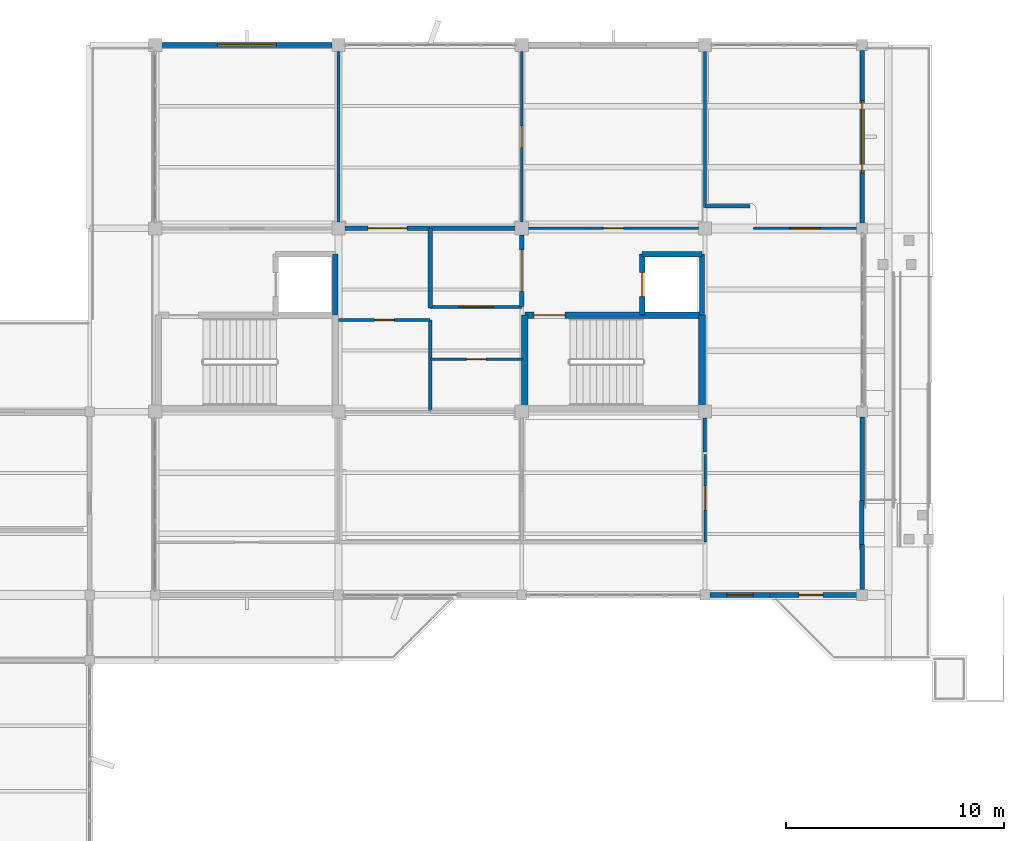
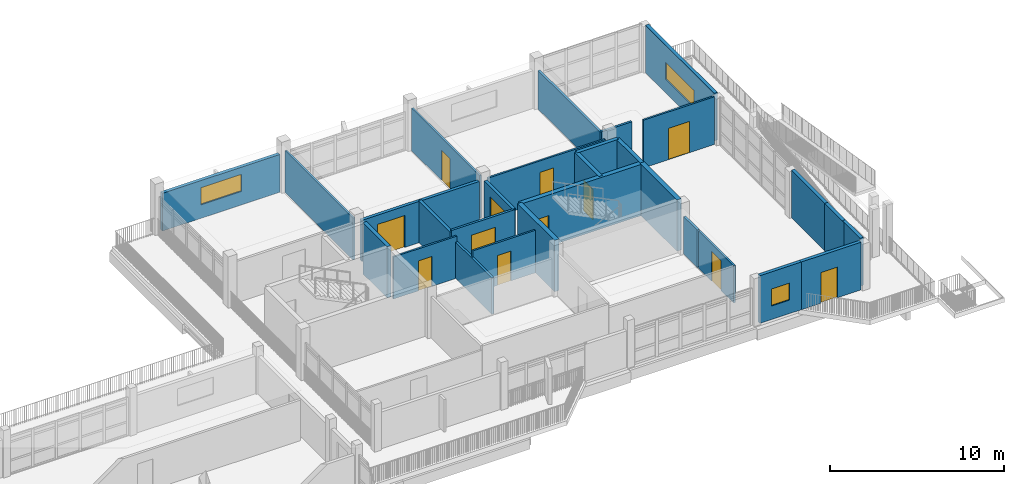
# One storey, part 22 of 33: 30 walls, 12 doors, 3 windows, 15 openings.
"""IFC4 building model written with IfcOpenShell, lengths in metres."""

import ifcopenshell
import ifcopenshell.guid

model = None  # the IFC model being written
_history = None  # IfcOwnerHistory: only IFC2X3 demands one
_inside = {}  # id of a spatial element -> (the spatial element, [elements in it])
_under = {}  # id of a project, library or spatial element -> (it, [spatial elements below it])
_declared = {}  # id of a project -> (the project, [libraries it declares])
_typed = {}  # id of a type object -> (the type object, [elements of that type])
_made_of = {}  # id of a material, layer set ... -> (it, [elements and type objects made of it])


def new_model(schema):
    """Start an empty IFC model of exactly this schema.

    Asked for "IFC4X3", IfcOpenShell would pick the latest addendum, in which some entities
    have other attributes; the version numbers below select the first issue.
    IFC2X3 requires an IfcOwnerHistory on every rooted entity: one is made here for all.
    """
    global model, _history
    if schema == "IFC4X3":
        model = ifcopenshell.file(schema_version=(4, 3, 0, 0))
    else:
        model = ifcopenshell.file(schema=schema)
    _inside.clear()
    _under.clear()
    _declared.clear()
    _typed.clear()
    _made_of.clear()
    _history = None
    if model.schema == "IFC2X3":
        org = make("IfcOrganization", Name="unknown")
        user = make(
            "IfcPersonAndOrganization",
            ThePerson=make("IfcPerson", FamilyName="unknown"),
            TheOrganization=org,
        )
        app = make(
            "IfcApplication",
            ApplicationDeveloper=org,
            Version="unknown",
            ApplicationFullName="unknown",
            ApplicationIdentifier="unknown",
        )
        _history = make(
            "IfcOwnerHistory",
            OwningUser=user,
            OwningApplication=app,
            ChangeAction="ADDED",
            CreationDate=0,
        )
    return model


def make(cls, **values):
    """One entity of the class cls with the attributes given. An attribute that is None is left unset."""
    return model.create_entity(
        cls, **{name: value for name, value in values.items() if value is not None}
    )


def rooted(cls, **values):
    """An entity with a GlobalId (a new one), such as an element, a storey or a relation."""
    return make(cls, GlobalId=ifcopenshell.guid.new(), OwnerHistory=_history, **values)


def si_unit(unit_type, name, prefix=None):
    """IfcSIUnit, for example si_unit("LENGTHUNIT", "METRE", prefix="MILLI")."""
    return make("IfcSIUnit", UnitType=unit_type, Prefix=prefix, Name=name)


def assignment(units):
    """IfcUnitAssignment: the units of a project."""
    return None if units is None else make("IfcUnitAssignment", Units=units)


def point(xyz):
    """IfcCartesianPoint."""
    return None if xyz is None else make("IfcCartesianPoint", Coordinates=xyz)


def direction(xyz):
    """IfcDirection."""
    return None if xyz is None else make("IfcDirection", DirectionRatios=xyz)


def frame(location, z_axis=None, x_axis=None):
    """IfcAxis2Placement3D, a coordinate frame: its origin and axes. An axis left out is left unset."""
    return make(
        "IfcAxis2Placement3D",
        Location=point(location),
        Axis=direction(z_axis),
        RefDirection=direction(x_axis),
    )


def frame_2d(location, x_axis=None):
    """IfcAxis2Placement2D, a coordinate frame in the plane: its origin and x axis."""
    return make(
        "IfcAxis2Placement2D", Location=point(location), RefDirection=direction(x_axis)
    )


def origin():
    """The frame at (0, 0, 0) with its axes left unset."""
    return frame((0.0, 0.0, 0.0))


def place(relative_to, where):
    """IfcLocalPlacement: puts the frame where relative to a parent placement (None: the world)."""
    return make(
        "IfcLocalPlacement", PlacementRelTo=relative_to, RelativePlacement=where
    )


def context(
    kind, dimensions, precision=None, world=None, true_north=None, identifier=None
):
    """IfcGeometricRepresentationContext, for example the 3D "Model" context."""
    return make(
        "IfcGeometricRepresentationContext",
        ContextIdentifier=identifier,
        ContextType=kind,
        CoordinateSpaceDimension=dimensions,
        Precision=precision,
        WorldCoordinateSystem=world,
        TrueNorth=true_north,
    )


def subcontext(parent, identifier, kind, view, scale=None):
    """IfcGeometricRepresentationSubContext, for example "Body" below "Model"."""
    return make(
        "IfcGeometricRepresentationSubContext",
        ContextIdentifier=identifier,
        ContextType=kind,
        ParentContext=parent,
        TargetScale=scale,
        TargetView=view,
    )


def project(units=None, contexts=None):
    """IfcProject with its units and contexts."""
    return rooted(
        "IfcProject",
        Name="project",
        RepresentationContexts=contexts,
        UnitsInContext=assignment(units),
    )


def spatial(cls, under=None, at=None, **own):
    """A site, building, storey or space (cls), placed at a placement, below another one or the project."""
    s = rooted(cls, ObjectPlacement=at, **own)
    if under is not None:
        _under.setdefault(under.id(), (under, []))[1].append(s)
    return s


def profile(cls, at=None, kind="AREA", **sizes):
    """A parametric profile (cls). Its sizes go by their IFC names, for example OverallWidth=200.0."""
    return make(cls, ProfileType=kind, Position=at, **sizes)


def rectangle(**sizes):
    """IfcRectangleProfileDef."""
    return profile("IfcRectangleProfileDef", **sizes)


def extrude(swept, where, along, depth):
    """IfcExtrudedAreaSolid: the profile swept, set in the frame where, extruded along a direction by depth."""
    return make(
        "IfcExtrudedAreaSolid",
        SweptArea=swept,
        Position=where,
        ExtrudedDirection=direction(along),
        Depth=depth,
    )


def shape(context_of_items, identifier, shape_type, items):
    """IfcShapeRepresentation: the items that make up one representation, for example the "Body"."""
    return make(
        "IfcShapeRepresentation",
        ContextOfItems=context_of_items,
        RepresentationIdentifier=identifier,
        RepresentationType=shape_type,
        Items=items,
    )


def material(Name=None, Category=None):
    """IfcMaterial."""
    return make("IfcMaterial", Name=Name, Category=Category)


def layer(
    of_material, thickness, ventilated=None, Name=None, Category=None, Priority=None
):
    """IfcMaterialLayer: one layer of a wall or slab, of a material (None: an air gap)."""
    return make(
        "IfcMaterialLayer",
        Material=of_material,
        LayerThickness=thickness,
        IsVentilated=ventilated,
        Name=Name,
        Category=Category,
        Priority=Priority,
    )


def layer_set(layers, Name=None):
    """IfcMaterialLayerSet."""
    return make("IfcMaterialLayerSet", MaterialLayers=layers, LayerSetName=Name)


def made_of(thing, what):
    """Note that an element or type object is made of a material, layer set ...; save() writes the relation."""
    if what is not None:
        _made_of.setdefault(what.id(), (what, []))[1].append(thing)
    return thing


def type_object(cls, material=None, **own):
    """A type object (cls), such as IfcWallType, which elements share."""
    return made_of(rooted(cls, **own), material)


def element(
    cls,
    number,
    at=None,
    inside=None,
    cuts=None,
    type_object=None,
    material=None,
    context=None,
    identifier="Body",
    shape_type=None,
    held_by="IfcProductDefinitionShape",
    body=None,
    shapes=None,
    **own,
):
    """One element of the class cls, such as IfcWall. Its Tag is "e" and its number.

    at: its placement. inside: the storey or other place that contains it. cuts: it is an
    opening in that element (IfcRelVoidsElement). A single representation is given by context,
    identifier, shape_type and body (its items); several are given by shapes. held_by: the class
    of the entity that holds the representations. save() writes the other relations.
    """
    e = rooted(cls, Tag="e%d" % number, ObjectPlacement=at, **own)
    if body is not None:
        shapes = [shape(context, identifier, shape_type, body)]
    if shapes is not None:
        e.Representation = make(held_by, Representations=shapes)
    if inside is not None:
        _inside.setdefault(inside.id(), (inside, []))[1].append(e)
    if cuts is not None:
        rooted(
            "IfcRelVoidsElement", RelatingBuildingElement=cuts, RelatedOpeningElement=e
        )
    if type_object is not None:
        _typed.setdefault(type_object.id(), (type_object, []))[1].append(e)
    return made_of(e, material)


def fill(opening, filler):
    """IfcRelFillsElement: the door or window that sits in an opening."""
    return rooted(
        "IfcRelFillsElement",
        RelatingOpeningElement=opening,
        RelatedBuildingElement=filler,
    )


def aggregate(whole, parts):
    """IfcRelAggregates: a whole, such as a stair, and the parts it consists of."""
    return rooted("IfcRelAggregates", RelatingObject=whole, RelatedObjects=parts)


def save(model, path):
    """Write the relations noted so far, then the file.

    IfcRelAggregates (storeys below a building ...), IfcRelContainedInSpatialStructure (elements
    in a storey), IfcRelDefinesByType, IfcRelAssociatesMaterial and IfcRelDeclares: one each for
    every whole, place, type object, material and project.
    """
    for whole, parts in _under.values():
        aggregate(whole, parts)
    for where, things in _inside.values():
        rooted(
            "IfcRelContainedInSpatialStructure",
            RelatedElements=things,
            RelatingStructure=where,
        )
    for kind, things in _typed.values():
        rooted("IfcRelDefinesByType", RelatedObjects=things, RelatingType=kind)
    for what, things in _made_of.values():
        rooted("IfcRelAssociatesMaterial", RelatedObjects=things, RelatingMaterial=what)
    for by, libraries in _declared.values():
        rooted("IfcRelDeclares", RelatingContext=by, RelatedDefinitions=libraries)
    model.write(path)


model = new_model("IFC4")

# Units and contexts
model_context = context("Model", 3, precision=1e-05, world=origin(), true_north=direction((0.0, 1.0)))
body_context = subcontext(model_context, "Body", "Model", "MODEL_VIEW")
ifc_project = project(units=[si_unit("LENGTHUNIT", "METRE"), si_unit("AREAUNIT", "SQUARE_METRE"), si_unit("VOLUMEUNIT", "CUBIC_METRE"), si_unit("PLANEANGLEUNIT", "RADIAN"), si_unit("MASSUNIT", "GRAM", prefix="KILO")], contexts=[model_context])

# Site, building, storey
site_placement = place(None, origin())
site = spatial("IfcSite", under=ifc_project, at=site_placement, CompositionType="ELEMENT")
building_placement = place(site_placement, origin())
building = spatial("IfcBuilding", under=site, at=building_placement, Name="Vanh Quang Courtyard School", CompositionType="ELEMENT")
storey_placement = place(building_placement, frame((0.0, 0.0, 18.60009765625)))
storey = spatial("IfcBuildingStorey", under=building, at=storey_placement, Name="L05", CompositionType="ELEMENT", Elevation=18.60009765625)

# Wall, opening, door
ifc_material_1 = material(Name="Concrete C30/37", Category="concrete")
ifc_layer_1 = layer(ifc_material_1, 0.199951171875)
ifc_layer_set_1 = layer_set([ifc_layer_1], Name="Concrete C30/37")
wall_type_1 = type_object("IfcWallType", Name="W-COMP-200", PredefinedType="PARTITIONING", material=ifc_layer_set_1)
wall_1_placement = place(storey_placement, frame((86.097900390625, 88.199951171875, 0.0), z_axis=(0.0, 0.0, 1.0), x_axis=(1.0, 0.0, 0.0)))
wall_1 = element("IfcWall", 1, at=wall_1_placement, inside=storey, type_object=wall_type_1, Name="Wall W-COMP1 (L05)", PredefinedType="PARTITIONING", context=body_context, shape_type="SweptSolid", body=[
    extrude(rectangle(XDim=3.902099609375, YDim=0.199951171875, at=frame_2d((1.951171875, 0.0))), origin(), (0.0, 0.0, 1.0), 2.89990234375),
])
opening_1_placement = place(wall_1_placement, frame((1.051025390625, 0.0, 0.0)))
opening_1 = element("IfcOpeningElement", 2, at=opening_1_placement, cuts=wall_1, Name="Opening L05-D177", PredefinedType="OPENING", context=body_context, shape_type="SweptSolid", body=[
    extrude(rectangle(XDim=1.800048828125, YDim=2.25, at=frame_2d((0.89990234375, 1.125))), frame((0.0, 0.10986328125, 0.0), z_axis=(0.0, -1.0, 0.0), x_axis=(1.0, 0.0, 0.0)), (0.0, 0.0, 1.0), 0.219970703125),
])
ifc_material_2 = material(Name="Painted galvanised steel fire door", Category="steel")
door_type_1 = type_object("IfcDoorType", Name="IDR-FD-1800x2250", OperationType="NOTDEFINED", PredefinedType="DOOR", material=ifc_material_2)
door_1_placement = place(opening_1_placement, origin())
door_1 = element("IfcDoor", 3, at=door_1_placement, inside=storey, type_object=door_type_1, Name="Door L05-D177 (L05)", OperationType="DOUBLE_DOOR_SINGLE_SWING", OverallHeight=2.25, OverallWidth=1.800048828125, PredefinedType="DOOR", context=body_context, shape_type="SweptSolid", body=[
    extrude(rectangle(XDim=1.800048828125, YDim=2.25, at=frame_2d((0.89990234375, 1.125))), frame((0.0, 0.02490234375, 0.0), z_axis=(0.0, -1.0, 0.0), x_axis=(1.0, 0.0, 0.0)), (0.0, 0.0, 1.0), 0.050048828125),
])
fill(opening_1, door_1)

# Walls
wall_2_placement = place(storey_placement, frame((90.0, 88.199951171875, 0.0), z_axis=(0.0, 0.0, 1.0), x_axis=(0.0, -1.0, 0.0)))
element("IfcWall", 4, at=wall_2_placement, inside=storey, type_object=wall_type_1, Name="Wall W-COMP1 (L05)", PredefinedType="PARTITIONING", context=body_context, shape_type="SweptSolid", body=[
    extrude(rectangle(XDim=3.646240234375, YDim=0.199951171875, at=frame_2d((1.8232421875, 0.0))), origin(), (0.0, 0.0, 1.0), 2.89990234375),
])
wall_3_placement = place(storey_placement, frame((90.02001953125, 88.199951171875, 0.0), z_axis=(0.0, 0.0, 1.0), x_axis=(1.0, 0.0, 0.0)))
element("IfcWall", 5, at=wall_3_placement, inside=storey, type_object=wall_type_1, Name="Wall W-COMP1 (L05)", PredefinedType="PARTITIONING", context=body_context, shape_type="SweptSolid", body=[
    extrude(rectangle(XDim=3.882080078125, YDim=0.199951171875, at=frame_2d((1.94091796875, 0.0))), origin(), (0.0, 0.0, 1.0), 2.89990234375),
])

# Wall, opening, door
wall_4_placement = place(storey_placement, frame((94.199951171875, 87.902099609375, 0.0), z_axis=(0.0, 0.0, 1.0), x_axis=(0.0, -1.0, 0.0)))
wall_4 = element("IfcWall", 6, at=wall_4_placement, inside=storey, type_object=wall_type_1, Name="Wall W-COMP1 (L05)", PredefinedType="PARTITIONING", context=body_context, shape_type="SweptSolid", body=[
    extrude(rectangle(XDim=3.281982421875, YDim=0.199951171875, at=frame_2d((1.64111328125, 0.0))), origin(), (0.0, 0.0, 1.0), 2.989990234375),
])
opening_2_placement = place(wall_4_placement, frame((0.69091796875, 0.0, 0.0)))
opening_2 = element("IfcOpeningElement", 7, at=opening_2_placement, cuts=wall_4, Name="Opening L05-D178", PredefinedType="OPENING", context=body_context, shape_type="SweptSolid", body=[
    extrude(rectangle(XDim=1.89990234375, YDim=2.300048828125, at=frame_2d((0.949951171875, 1.14990234375))), frame((0.0, 0.10986328125, 0.0), z_axis=(0.0, -1.0, 0.0), x_axis=(1.0, 0.0, 0.0)), (0.0, 0.0, 1.0), 0.219970703125),
])
door_type_2 = type_object("IfcDoorType", Name="IDR-HAL-1900x2300", OperationType="NOTDEFINED", PredefinedType="DOOR", material=ifc_material_2)
door_2_placement = place(opening_2_placement, origin())
door_2 = element("IfcDoor", 8, at=door_2_placement, inside=storey, type_object=door_type_2, Name="Door L05-D178 (L05)", OperationType="DOUBLE_DOOR_SINGLE_SWING", OverallHeight=2.300048828125, OverallWidth=1.89990234375, PredefinedType="DOOR", context=body_context, shape_type="SweptSolid", body=[
    extrude(rectangle(XDim=1.89990234375, YDim=2.300048828125, at=frame_2d((0.949951171875, 1.14990234375))), frame((0.0, 0.02490234375, 0.0), z_axis=(0.0, -1.0, 0.0), x_axis=(1.0, 0.0, 0.0)), (0.0, 0.0, 1.0), 0.050048828125),
])
fill(opening_2, door_2)

# Wall
ifc_material_3 = material(Name="Concrete C35/45", Category="concrete")
ifc_layer_2 = layer(ifc_material_3, 0.300048828125)
ifc_layer_set_2 = layer_set([ifc_layer_2], Name="Concrete C35/45")
wall_type_2 = type_object("IfcWallType", Name="W-CORE-300", PredefinedType="SHEAR", material=ifc_layer_set_2)
wall_5_placement = place(storey_placement, frame((102.4599609375, 79.93994140625, 0.0), z_axis=(0.0, 0.0, 1.0), x_axis=(0.0, 1.0, 0.0)))
element("IfcWall", 9, at=wall_5_placement, inside=storey, type_object=wall_type_2, Name="Wall W-CORE1 (L05)", PredefinedType="SHEAR", context=body_context, shape_type="SweptSolid", body=[
    extrude(rectangle(XDim=4.280029296875, YDim=0.300048828125, at=frame_2d((2.14013671875, 0.0))), origin(), (0.0, 0.0, 1.0), 3.599853515625),
])

# Wall, opening, door
wall_6_placement = place(storey_placement, frame((102.4599609375, 84.219970703125, 0.0), z_axis=(0.0, 0.0, 1.0), x_axis=(-1.0, 0.0, 0.0)))
wall_6 = element("IfcWall", 10, at=wall_6_placement, inside=storey, type_object=wall_type_2, Name="Wall W-CORE1 (L05)", PredefinedType="SHEAR", context=body_context, shape_type="SweptSolid", body=[
    extrude(rectangle(XDim=8.119873046875, YDim=0.300048828125, at=frame_2d((4.06005859375, 0.0))), origin(), (0.0, 0.0, 1.0), 3.599853515625),
])
opening_3_placement = place(wall_6_placement, frame((6.27001953125, 0.0, 0.0)))
opening_3 = element("IfcOpeningElement", 11, at=opening_3_placement, cuts=wall_6, Name="Opening L05-DS2", PredefinedType="OPENING", context=body_context, shape_type="SweptSolid", body=[
    extrude(rectangle(XDim=1.419921875, YDim=2.14990234375, at=frame_2d((0.7099609375, 1.074951171875))), frame((0.0, 0.16015625, 0.0), z_axis=(0.0, -1.0, 0.0), x_axis=(1.0, 0.0, 0.0)), (0.0, 0.0, 1.0), 0.320068359375),
])
door_type_3 = type_object("IfcDoorType", Name="IDR-ST-1420x2150", OperationType="NOTDEFINED", PredefinedType="DOOR", material=ifc_material_2)
door_3_placement = place(opening_3_placement, frame((1.419921875, 0.0, 0.0), z_axis=(0.0, 0.0, 1.0), x_axis=(-1.0, 0.0, 0.0)))
door_3 = element("IfcDoor", 12, at=door_3_placement, inside=storey, type_object=door_type_3, Name="Door L05-DS2 (L05)", OperationType="SINGLE_SWING_RIGHT", OverallHeight=2.14990234375, OverallWidth=1.419921875, PredefinedType="DOOR", context=body_context, shape_type="SweptSolid", body=[
    extrude(rectangle(XDim=1.419921875, YDim=2.14990234375, at=frame_2d((0.7099609375, 1.074951171875))), frame((0.0, 0.02490234375, 0.0), z_axis=(0.0, -1.0, 0.0), x_axis=(1.0, 0.0, 0.0)), (0.0, 0.0, 1.0), 0.050048828125),
])
fill(opening_3, door_3)

# Walls
wall_7_placement = place(storey_placement, frame((94.340087890625, 84.219970703125, 0.0), z_axis=(0.0, 0.0, 1.0), x_axis=(0.0, -1.0, 0.0)))
element("IfcWall", 13, at=wall_7_placement, inside=storey, type_object=wall_type_2, Name="Wall W-CORE1 (L05)", PredefinedType="SHEAR", context=body_context, shape_type="SweptSolid", body=[
    extrude(rectangle(XDim=4.280029296875, YDim=0.300048828125, at=frame_2d((2.14013671875, 0.0))), origin(), (0.0, 0.0, 1.0), 3.599853515625),
])
ifc_layer_3 = layer(ifc_material_1, 0.219970703125)
ifc_layer_set_3 = layer_set([ifc_layer_3], Name="Concrete C30/37")
wall_type_3 = type_object("IfcWallType", Name="W-EXT-220", PredefinedType="SOLIDWALL", material=ifc_layer_set_3)
wall_8_placement = place(storey_placement, frame((109.784912109375, 75.719970703125, 0.0), z_axis=(0.0, 0.0, 1.0), x_axis=(0.0, -1.0, 0.0)))
element("IfcWall", 14, at=wall_8_placement, inside=storey, type_object=wall_type_3, Name="Wall WE-04 (L05)", PredefinedType="SOLIDWALL", context=body_context, shape_type="SweptSolid", body=[
    extrude(rectangle(XDim=2.239990234375, YDim=0.219970703125, at=frame_2d((1.1201171875, 0.0))), origin(), (0.0, 0.0, 1.0), 3.349853515625),
])
wall_9_placement = place(storey_placement, frame((109.800048828125, 73.705078125, 0.0), z_axis=(0.0, 0.0, 1.0), x_axis=(0.0, -1.0, 0.0)))
element("IfcWall", 15, at=wall_9_placement, inside=storey, type_object=wall_type_3, Name="Wall WE-04 (L05)", PredefinedType="SOLIDWALL", context=body_context, shape_type="SweptSolid", body=[
    extrude(rectangle(XDim=2.05712890625, YDim=0.219970703125, at=frame_2d((1.028564453125, 0.0))), origin(), (0.0, 0.0, 1.0), 3.349853515625),
])

# Wall, opening, door
wall_10_placement = place(storey_placement, frame((109.552001953125, 71.39990234375, 0.0), z_axis=(0.0, 0.0, 1.0), x_axis=(-1.0, 0.0, 0.0)))
wall_10 = element("IfcWall", 16, at=wall_10_placement, inside=storey, type_object=wall_type_3, Name="Wall WE-04 (L05)", PredefinedType="SOLIDWALL", context=body_context, shape_type="SweptSolid", body=[
    extrude(rectangle(XDim=4.216064453125, YDim=0.219970703125, at=frame_2d((2.10791015625, 0.0))), origin(), (0.0, 0.0, 1.0), 3.349853515625),
])
opening_4_placement = place(wall_10_placement, frame((1.55810546875, 0.0, 0.0)))
opening_4 = element("IfcOpeningElement", 17, at=opening_4_placement, cuts=wall_10, Name="Opening L05-PD061", PredefinedType="OPENING", context=body_context, shape_type="SweptSolid", body=[
    extrude(rectangle(XDim=1.10009765625, YDim=2.14990234375, at=frame_2d((0.550048828125, 1.074951171875))), frame((0.0, 0.1201171875, 0.0), z_axis=(0.0, -1.0, 0.0), x_axis=(1.0, 0.0, 0.0)), (0.0, 0.0, 1.0), 0.239990234375),
])
ifc_material_4 = material(Name="Thermally broken aluminium and laminated safety glass", Category="aluminium")
door_type_4 = type_object("IfcDoorType", Name="EDR-TYP-02", OperationType="NOTDEFINED", PredefinedType="DOOR", material=ifc_material_4)
door_4_placement = place(opening_4_placement, origin())
door_4 = element("IfcDoor", 18, at=door_4_placement, inside=storey, type_object=door_type_4, Name="Door L05-PD061 (L05)", OperationType="SINGLE_SWING_RIGHT", OverallHeight=2.14990234375, OverallWidth=1.10009765625, PredefinedType="DOOR", context=body_context, shape_type="SweptSolid", body=[
    extrude(rectangle(XDim=1.10009765625, YDim=2.14990234375, at=frame_2d((0.550048828125, 1.074951171875))), frame((0.0, 0.02490234375, 0.0), z_axis=(0.0, -1.0, 0.0), x_axis=(1.0, 0.0, 0.0)), (0.0, 0.0, 1.0), 0.050048828125),
])
fill(opening_4, door_4)

# Wall, opening, window
wall_11_placement = place(storey_placement, frame((105.575927734375, 71.39990234375, 0.0), z_axis=(0.0, 0.0, 1.0), x_axis=(-1.0, 0.0, 0.0)))
wall_11 = element("IfcWall", 19, at=wall_11_placement, inside=storey, type_object=wall_type_3, Name="Wall WE-04 (L05)", PredefinedType="SOLIDWALL", context=body_context, shape_type="SweptSolid", body=[
    extrude(rectangle(XDim=2.7529296875, YDim=0.219970703125, at=frame_2d((1.37646484375, 0.0))), origin(), (0.0, 0.0, 1.0), 3.349853515625),
])
opening_5_placement = place(wall_11_placement, frame((0.776611328125, 0.0, 0.949951171875)))
opening_5 = element("IfcOpeningElement", 20, at=opening_5_placement, cuts=wall_11, Name="Opening WN-01", PredefinedType="OPENING", context=body_context, shape_type="SweptSolid", body=[
    extrude(rectangle(XDim=1.199951171875, YDim=1.199951171875, at=frame_2d((0.60009765625, 0.60009765625))), frame((0.0, 0.1201171875, 0.0), z_axis=(0.0, -1.0, 0.0), x_axis=(1.0, 0.0, 0.0)), (0.0, 0.0, 1.0), 0.239990234375),
])
ifc_material_5 = material(Name="Anodised aluminium and low-E double glazing", Category="aluminium")
window_type_1 = type_object("IfcWindowType", Name="WIN-TYP-01", PartitioningType="SINGLE_PANEL", PredefinedType="WINDOW", material=ifc_material_5)
window_1_placement = place(opening_5_placement, origin())
window_1 = element("IfcWindow", 21, at=window_1_placement, inside=storey, type_object=window_type_1, Name="Window WN-01 (L05)", OverallHeight=1.199951171875, OverallWidth=1.199951171875, PartitioningType="SINGLE_PANEL", PredefinedType="WINDOW", context=body_context, shape_type="SweptSolid", body=[
    extrude(rectangle(XDim=1.199951171875, YDim=1.199951171875, at=frame_2d((0.60009765625, 0.60009765625))), frame((0.0, 0.030029296875, 0.0), z_axis=(0.0, -1.0, 0.0), x_axis=(1.0, 0.0, 0.0)), (0.0, 0.0, 1.0), 0.06005859375),
])
fill(opening_5, window_1)

wall_12_placement = place(storey_placement, frame((77.697998046875, 96.60009765625, 0.0), z_axis=(0.0, 0.0, 1.0), x_axis=(1.0, 0.0, 0.0)))
wall_12 = element("IfcWall", 22, at=wall_12_placement, inside=storey, type_object=wall_type_3, Name="Wall WE-04 (L05)", PredefinedType="SOLIDWALL", context=body_context, shape_type="SweptSolid", body=[
    extrude(rectangle(XDim=7.803955078125, YDim=0.219970703125, at=frame_2d((3.90185546875, 0.0))), origin(), (0.0, 0.0, 1.0), 2.64990234375),
])
opening_6_placement = place(wall_12_placement, frame((2.552001953125, 0.0, 0.949951171875)))
opening_6 = element("IfcOpeningElement", 23, at=opening_6_placement, cuts=wall_12, Name="Opening WN-06", PredefinedType="OPENING", context=body_context, shape_type="SweptSolid", body=[
    extrude(rectangle(XDim=2.699951171875, YDim=1.199951171875, at=frame_2d((1.35009765625, 0.60009765625))), frame((0.0, 0.1201171875, 0.0), z_axis=(0.0, -1.0, 0.0), x_axis=(1.0, 0.0, 0.0)), (0.0, 0.0, 1.0), 0.239990234375),
])
window_type_2 = type_object("IfcWindowType", Name="WIN-TYP-06", PartitioningType="SINGLE_PANEL", PredefinedType="WINDOW", material=ifc_material_5)
window_2_placement = place(opening_6_placement, origin())
window_2 = element("IfcWindow", 24, at=window_2_placement, inside=storey, type_object=window_type_2, Name="Window WN-06 (L05)", OverallHeight=1.199951171875, OverallWidth=2.699951171875, PartitioningType="SINGLE_PANEL", PredefinedType="WINDOW", context=body_context, shape_type="SweptSolid", body=[
    extrude(rectangle(XDim=2.699951171875, YDim=1.199951171875, at=frame_2d((1.35009765625, 0.60009765625))), frame((0.0, 0.030029296875, 0.0), z_axis=(0.0, -1.0, 0.0), x_axis=(1.0, 0.0, 0.0)), (0.0, 0.0, 1.0), 0.06005859375),
])
fill(opening_6, window_2)

wall_13_placement = place(storey_placement, frame((109.800048828125, 96.35205078125, 0.0), z_axis=(0.0, 0.0, 1.0), x_axis=(0.0, -1.0, 0.0)))
wall_13 = element("IfcWall", 25, at=wall_13_placement, inside=storey, type_object=wall_type_3, Name="Wall WE-04 (L05)", PredefinedType="SOLIDWALL", context=body_context, shape_type="SweptSolid", body=[
    extrude(rectangle(XDim=7.904052734375, YDim=0.219970703125, at=frame_2d((3.9521484375, 0.0))), origin(), (0.0, 0.0, 1.0), 3.349853515625),
])
opening_7_placement = place(wall_13_placement, frame((2.302001953125, 0.0, 0.949951171875)))
opening_7 = element("IfcOpeningElement", 26, at=opening_7_placement, cuts=wall_13, Name="Opening WN-08", PredefinedType="OPENING", context=body_context, shape_type="SweptSolid", body=[
    extrude(rectangle(XDim=3.300048828125, YDim=1.199951171875, at=frame_2d((1.64990234375, 0.60009765625))), frame((0.0, 0.1201171875, 0.0), z_axis=(0.0, -1.0, 0.0), x_axis=(1.0, 0.0, 0.0)), (0.0, 0.0, 1.0), 0.239990234375),
])
window_type_3 = type_object("IfcWindowType", Name="WIN-TYP-08", PartitioningType="SINGLE_PANEL", PredefinedType="WINDOW", material=ifc_material_5)
window_3_placement = place(opening_7_placement, origin())
window_3 = element("IfcWindow", 27, at=window_3_placement, inside=storey, type_object=window_type_3, Name="Window WN-08 (L05)", OverallHeight=1.199951171875, OverallWidth=3.300048828125, PartitioningType="SINGLE_PANEL", PredefinedType="WINDOW", context=body_context, shape_type="SweptSolid", body=[
    extrude(rectangle(XDim=3.300048828125, YDim=1.199951171875, at=frame_2d((1.64990234375, 0.60009765625))), frame((0.0, 0.030029296875, 0.0), z_axis=(0.0, -1.0, 0.0), x_axis=(1.0, 0.0, 0.0)), (0.0, 0.0, 1.0), 0.06005859375),
])
fill(opening_7, window_3)

# Wall
wall_14_placement = place(storey_placement, frame((109.800048828125, 79.552001953125, 0.0), z_axis=(0.0, 0.0, 1.0), x_axis=(0.0, -1.0, 0.0)))
element("IfcWall", 28, at=wall_14_placement, inside=storey, type_object=wall_type_3, Name="Wall WE-04 (L05)", PredefinedType="SOLIDWALL", context=body_context, shape_type="SweptSolid", body=[
    extrude(rectangle(XDim=4.056884765625, YDim=0.219970703125, at=frame_2d((2.0283203125, 0.0))), origin(), (0.0, 0.0, 1.0), 3.349853515625),
])

# Wall, opening, door
ifc_material_6 = material(Name="Acoustic gypsum stud partition", Category="gypsum")
ifc_layer_4 = layer(ifc_material_6, 0.1201171875)
ifc_layer_set_4 = layer_set([ifc_layer_4], Name="Acoustic gypsum stud partition")
wall_type_4 = type_object("IfcWallType", Name="W-PART-120", PredefinedType="PARTITIONING", material=ifc_layer_set_4)
wall_15_placement = place(storey_placement, frame((85.800048828125, 84.0, 0.0), z_axis=(0.0, 0.0, 1.0), x_axis=(1.0, 0.0, 0.0)))
wall_15 = element("IfcWall", 29, at=wall_15_placement, inside=storey, type_object=wall_type_4, Name="Wall W-PRT2 (L05)", PredefinedType="PARTITIONING", context=body_context, shape_type="SweptSolid", body=[
    extrude(rectangle(XDim=4.199951171875, YDim=0.1201171875, at=frame_2d((2.10009765625, 0.0))), origin(), (0.0, 0.0, 1.0), 2.949951171875),
])
opening_8_placement = place(wall_15_placement, frame((1.64990234375, 0.0, 0.0)))
opening_8 = element("IfcOpeningElement", 30, at=opening_8_placement, cuts=wall_15, Name="Opening L05-D174", PredefinedType="OPENING", context=body_context, shape_type="SweptSolid", body=[
    extrude(rectangle(XDim=0.89990234375, YDim=2.10009765625, at=frame_2d((0.449951171875, 1.050048828125))), frame((0.0, 0.070068359375, 0.0), z_axis=(0.0, -1.0, 0.0), x_axis=(1.0, 0.0, 0.0)), (0.0, 0.0, 1.0), 0.14013671875),
])
ifc_material_7 = material(Name="Solid-core hardwood acoustic door", Category="wood")
door_type_5 = type_object("IfcDoorType", Name="IDR-WC-0900x2100", OperationType="NOTDEFINED", PredefinedType="DOOR", material=ifc_material_7)
door_5_placement = place(opening_8_placement, origin())
door_5 = element("IfcDoor", 31, at=door_5_placement, inside=storey, type_object=door_type_5, Name="Door L05-D174 (L05)", OperationType="SINGLE_SWING_LEFT", OverallHeight=2.10009765625, OverallWidth=0.89990234375, PredefinedType="DOOR", context=body_context, shape_type="SweptSolid", body=[
    extrude(rectangle(XDim=0.89990234375, YDim=2.10009765625, at=frame_2d((0.449951171875, 1.050048828125))), frame((0.0, 0.02490234375, 0.0), z_axis=(0.0, -1.0, 0.0), x_axis=(1.0, 0.0, 0.0)), (0.0, 0.0, 1.0), 0.050048828125),
])
fill(opening_8, door_5)

wall_16_placement = place(storey_placement, frame((90.02001953125, 82.199951171875, 0.0), z_axis=(0.0, 0.0, 1.0), x_axis=(1.0, 0.0, 0.0)))
wall_16 = element("IfcWall", 32, at=wall_16_placement, inside=storey, type_object=wall_type_4, Name="Wall W-PRT2 (L05)", PredefinedType="PARTITIONING", context=body_context, shape_type="SweptSolid", body=[
    extrude(rectangle(XDim=4.179931640625, YDim=0.1201171875, at=frame_2d((2.08984375, 0.0))), origin(), (0.0, 0.0, 1.0), 2.989990234375),
])
opening_9_placement = place(wall_16_placement, frame((1.639892578125, 0.0, 0.0)))
opening_9 = element("IfcOpeningElement", 33, at=opening_9_placement, cuts=wall_16, Name="Opening L05-D175", PredefinedType="OPENING", context=body_context, shape_type="SweptSolid", body=[
    extrude(rectangle(XDim=0.89990234375, YDim=2.10009765625, at=frame_2d((0.449951171875, 1.050048828125))), frame((0.0, 0.070068359375, 0.0), z_axis=(0.0, -1.0, 0.0), x_axis=(1.0, 0.0, 0.0)), (0.0, 0.0, 1.0), 0.14013671875),
])
door_6_placement = place(opening_9_placement, origin())
door_6 = element("IfcDoor", 34, at=door_6_placement, inside=storey, type_object=door_type_5, Name="Door L05-D175 (L05)", OperationType="SINGLE_SWING_RIGHT", OverallHeight=2.10009765625, OverallWidth=0.89990234375, PredefinedType="DOOR", context=body_context, shape_type="SweptSolid", body=[
    extrude(rectangle(XDim=0.89990234375, YDim=2.10009765625, at=frame_2d((0.449951171875, 1.050048828125))), frame((0.0, 0.02490234375, 0.0), z_axis=(0.0, -1.0, 0.0), x_axis=(1.0, 0.0, 0.0)), (0.0, 0.0, 1.0), 0.050048828125),
])
fill(opening_9, door_6)

# Wall
wall_17_placement = place(storey_placement, frame((85.800048828125, 96.302001953125, 0.0), z_axis=(0.0, 0.0, 1.0), x_axis=(0.0, -1.0, 0.0)))
element("IfcWall", 35, at=wall_17_placement, inside=storey, type_object=wall_type_4, Name="Wall W-PRT2 (L05)", PredefinedType="PARTITIONING", context=body_context, shape_type="SweptSolid", body=[
    extrude(rectangle(XDim=7.803955078125, YDim=0.1201171875, at=frame_2d((3.90185546875, 0.0))), origin(), (0.0, 0.0, 1.0), 2.949951171875),
])

# Wall, opening, door
wall_18_placement = place(storey_placement, frame((94.199951171875, 96.302001953125, 0.0), z_axis=(0.0, 0.0, 1.0), x_axis=(0.0, -1.0, 0.0)))
wall_18 = element("IfcWall", 36, at=wall_18_placement, inside=storey, type_object=wall_type_4, Name="Wall W-PRT2 (L05)", PredefinedType="PARTITIONING", context=body_context, shape_type="SweptSolid", body=[
    extrude(rectangle(XDim=7.803955078125, YDim=0.1201171875, at=frame_2d((3.90185546875, 0.0))), origin(), (0.0, 0.0, 1.0), 2.989990234375),
])
opening_10_placement = place(wall_18_placement, frame((3.412109375, 0.0, 0.0)))
opening_10 = element("IfcOpeningElement", 37, at=opening_10_placement, cuts=wall_18, Name="Opening L05-D187", PredefinedType="OPENING", context=body_context, shape_type="SweptSolid", body=[
    extrude(rectangle(XDim=0.97998046875, YDim=2.1201171875, at=frame_2d((0.489990234375, 1.06005859375))), frame((0.0, 0.070068359375, 0.0), z_axis=(0.0, -1.0, 0.0), x_axis=(1.0, 0.0, 0.0)), (0.0, 0.0, 1.0), 0.14013671875),
])
door_type_6 = type_object("IfcDoorType", Name="IDR-CLS-1050x2100", OperationType="NOTDEFINED", PredefinedType="DOOR", material=ifc_material_7)
door_7_placement = place(opening_10_placement, origin())
door_7 = element("IfcDoor", 38, at=door_7_placement, inside=storey, type_object=door_type_6, Name="Door L05-D187 (L05)", OperationType="SINGLE_SWING_RIGHT", OverallHeight=2.1201171875, OverallWidth=0.97998046875, PredefinedType="DOOR", context=body_context, shape_type="SweptSolid", body=[
    extrude(rectangle(XDim=0.97998046875, YDim=2.1201171875, at=frame_2d((0.489990234375, 1.06005859375))), frame((0.0, 0.02490234375, 0.0), z_axis=(0.0, -1.0, 0.0), x_axis=(1.0, 0.0, 0.0)), (0.0, 0.0, 1.0), 0.050048828125),
])
fill(opening_10, door_7)

wall_19_placement = place(storey_placement, frame((102.60009765625, 77.845458984375, 0.0), z_axis=(0.0, 0.0, 1.0), x_axis=(0.0, -1.0, 0.0)))
wall_19 = element("IfcWall", 39, at=wall_19_placement, inside=storey, type_object=wall_type_4, Name="Wall W-PRT2 (L05)", PredefinedType="PARTITIONING", context=body_context, shape_type="SweptSolid", body=[
    extrude(rectangle(XDim=4.025390625, YDim=0.1201171875, at=frame_2d((2.0126953125, 0.0))), origin(), (0.0, 0.0, 1.0), 2.6298828125),
])
opening_11_placement = place(wall_19_placement, frame((1.462646484375, 0.0, 0.0)))
opening_11 = element("IfcOpeningElement", 40, at=opening_11_placement, cuts=wall_19, Name="Opening L05-D188", PredefinedType="OPENING", context=body_context, shape_type="SweptSolid", body=[
    extrude(rectangle(XDim=1.10009765625, YDim=2.10009765625, at=frame_2d((0.550048828125, 1.050048828125))), frame((0.0, 0.070068359375, 0.0), z_axis=(0.0, -1.0, 0.0), x_axis=(1.0, 0.0, 0.0)), (0.0, 0.0, 1.0), 0.14013671875),
])
door_type_7 = type_object("IfcDoorType", Name="IDR-CLS-1100x2100", OperationType="NOTDEFINED", PredefinedType="DOOR", material=ifc_material_7)
door_8_placement = place(opening_11_placement, origin())
door_8 = element("IfcDoor", 41, at=door_8_placement, inside=storey, type_object=door_type_7, Name="Door L05-D188 (L05)", OperationType="SINGLE_SWING_LEFT", OverallHeight=2.10009765625, OverallWidth=1.10009765625, PredefinedType="DOOR", context=body_context, shape_type="SweptSolid", body=[
    extrude(rectangle(XDim=1.10009765625, YDim=2.10009765625, at=frame_2d((0.550048828125, 1.050048828125))), frame((0.0, 0.02490234375, 0.0), z_axis=(0.0, -1.0, 0.0), x_axis=(1.0, 0.0, 0.0)), (0.0, 0.0, 1.0), 0.050048828125),
])
fill(opening_11, door_8)

wall_20_placement = place(storey_placement, frame((102.302001953125, 88.199951171875, 0.0), z_axis=(0.0, 0.0, 1.0), x_axis=(-1.0, 0.0, 0.0)))
wall_20 = element("IfcWall", 42, at=wall_20_placement, inside=storey, type_object=wall_type_4, Name="Wall W-PRT2 (L05)", PredefinedType="PARTITIONING", context=body_context, shape_type="SweptSolid", body=[
    extrude(rectangle(XDim=7.803955078125, YDim=0.1201171875, at=frame_2d((3.90185546875, 0.0))), origin(), (0.0, 0.0, 1.0), 2.89990234375),
])
opening_12_placement = place(wall_20_placement, frame((3.44189453125, 0.0, 0.0)))
opening_12 = element("IfcOpeningElement", 43, at=opening_12_placement, cuts=wall_20, Name="Opening L05-D189", PredefinedType="OPENING", context=body_context, shape_type="SweptSolid", body=[
    extrude(rectangle(XDim=0.919921875, YDim=2.10009765625, at=frame_2d((0.4599609375, 1.050048828125))), frame((0.0, 0.070068359375, 0.0), z_axis=(0.0, -1.0, 0.0), x_axis=(1.0, 0.0, 0.0)), (0.0, 0.0, 1.0), 0.14013671875),
])
door_type_8 = type_object("IfcDoorType", Name="IDR-STF-0920x2100", OperationType="NOTDEFINED", PredefinedType="DOOR", material=ifc_material_7)
door_9_placement = place(opening_12_placement, origin())
door_9 = element("IfcDoor", 44, at=door_9_placement, inside=storey, type_object=door_type_8, Name="Door L05-D189 (L05)", OperationType="SINGLE_SWING_RIGHT", OverallHeight=2.10009765625, OverallWidth=0.919921875, PredefinedType="DOOR", context=body_context, shape_type="SweptSolid", body=[
    extrude(rectangle(XDim=0.919921875, YDim=2.10009765625, at=frame_2d((0.4599609375, 1.050048828125))), frame((0.0, 0.02490234375, 0.0), z_axis=(0.0, -1.0, 0.0), x_axis=(1.0, 0.0, 0.0)), (0.0, 0.0, 1.0), 0.050048828125),
])
fill(opening_12, door_9)

wall_21_placement = place(storey_placement, frame((109.552001953125, 88.199951171875, 0.0), z_axis=(0.0, 0.0, 1.0), x_axis=(-1.0, 0.0, 0.0)))
wall_21 = element("IfcWall", 45, at=wall_21_placement, inside=storey, type_object=wall_type_4, Name="Wall W-PRT2 (L05)", PredefinedType="PARTITIONING", context=body_context, shape_type="SweptSolid", body=[
    extrude(rectangle(XDim=4.731201171875, YDim=0.1201171875, at=frame_2d((2.36572265625, 0.0))), origin(), (0.0, 0.0, 1.0), 3.349853515625),
])
opening_13_placement = place(wall_21_placement, frame((1.66552734375, 0.0, 0.0)))
opening_13 = element("IfcOpeningElement", 46, at=opening_13_placement, cuts=wall_21, Name="Opening L05-D190", PredefinedType="OPENING", context=body_context, shape_type="SweptSolid", body=[
    extrude(rectangle(XDim=1.39990234375, YDim=2.199951171875, at=frame_2d((0.699951171875, 1.10009765625))), frame((0.0, 0.070068359375, 0.0), z_axis=(0.0, -1.0, 0.0), x_axis=(1.0, 0.0, 0.0)), (0.0, 0.0, 1.0), 0.14013671875),
])
door_type_9 = type_object("IfcDoorType", Name="IDR-STU-1400x2200", OperationType="NOTDEFINED", PredefinedType="DOOR", material=ifc_material_7)
door_10_placement = place(opening_13_placement, origin())
door_10 = element("IfcDoor", 47, at=door_10_placement, inside=storey, type_object=door_type_9, Name="Door L05-D190 (L05)", OperationType="SINGLE_SWING_LEFT", OverallHeight=2.199951171875, OverallWidth=1.39990234375, PredefinedType="DOOR", context=body_context, shape_type="SweptSolid", body=[
    extrude(rectangle(XDim=1.39990234375, YDim=2.199951171875, at=frame_2d((0.699951171875, 1.10009765625))), frame((0.0, 0.02490234375, 0.0), z_axis=(0.0, -1.0, 0.0), x_axis=(1.0, 0.0, 0.0)), (0.0, 0.0, 1.0), 0.050048828125),
])
fill(opening_13, door_10)

# Wall
ifc_material_8 = material(Name="Autoclaved aerated masonry blockwork", Category="masonry")
ifc_layer_5 = layer(ifc_material_8, 0.14990234375)
ifc_layer_set_5 = layer_set([ifc_layer_5], Name="Autoclaved aerated masonry blockwork")
wall_type_5 = type_object("IfcWallType", Name="W-PART-150", PredefinedType="PARTITIONING", material=ifc_layer_set_5)
wall_22_placement = place(storey_placement, frame((90.0, 84.0, 0.0), z_axis=(0.0, 0.0, 1.0), x_axis=(0.0, -1.0, 0.0)))
element("IfcWall", 48, at=wall_22_placement, inside=storey, type_object=wall_type_5, Name="Wall W-PRT1 (L05)", PredefinedType="PARTITIONING", context=body_context, shape_type="SweptSolid", body=[
    extrude(rectangle(XDim=4.199951171875, YDim=0.14990234375, at=frame_2d((2.10009765625, 0.0))), origin(), (0.0, 0.0, 1.0), 2.5498046875),
])

# Wall, opening, door
wall_23_placement = place(storey_placement, frame((90.0, 84.60009765625, 0.0), z_axis=(0.0, 0.0, 1.0), x_axis=(1.0, 0.0, 0.0)))
wall_23 = element("IfcWall", 49, at=wall_23_placement, inside=storey, type_object=wall_type_5, Name="Wall W-PRT1 (L05)", PredefinedType="PARTITIONING", context=body_context, shape_type="SweptSolid", body=[
    extrude(rectangle(XDim=4.199951171875, YDim=0.14990234375, at=frame_2d((2.10009765625, 0.0))), origin(), (0.0, 0.0, 1.0), 2.989990234375),
])
opening_14_placement = place(wall_23_placement, frame((1.300048828125, 0.0, 0.0)))
opening_14 = element("IfcOpeningElement", 50, at=opening_14_placement, cuts=wall_23, Name="Opening L05-D176", PredefinedType="OPENING", context=body_context, shape_type="SweptSolid", body=[
    extrude(rectangle(XDim=1.60009765625, YDim=2.199951171875, at=frame_2d((0.800048828125, 1.10009765625))), frame((0.0, 0.0849609375, 0.0), z_axis=(0.0, -1.0, 0.0), x_axis=(1.0, 0.0, 0.0)), (0.0, 0.0, 1.0), 0.169921875),
])
door_type_10 = type_object("IfcDoorType", Name="IDR-FD-1600x2200", OperationType="NOTDEFINED", PredefinedType="DOOR", material=ifc_material_2)
door_11_placement = place(opening_14_placement, origin())
door_11 = element("IfcDoor", 51, at=door_11_placement, inside=storey, type_object=door_type_10, Name="Door L05-D176 (L05)", OperationType="DOUBLE_DOOR_SINGLE_SWING", OverallHeight=2.199951171875, OverallWidth=1.60009765625, PredefinedType="DOOR", context=body_context, shape_type="SweptSolid", body=[
    extrude(rectangle(XDim=1.60009765625, YDim=2.199951171875, at=frame_2d((0.800048828125, 1.10009765625))), frame((0.0, 0.02490234375, 0.0), z_axis=(0.0, -1.0, 0.0), x_axis=(1.0, 0.0, 0.0)), (0.0, 0.0, 1.0), 0.050048828125),
])
fill(opening_14, door_11)

# Walls
wall_24_placement = place(storey_placement, frame((102.580078125, 79.501953125, 0.0), z_axis=(0.0, 0.0, 1.0), x_axis=(0.0, -1.0, 0.0)))
element("IfcWall", 52, at=wall_24_placement, inside=storey, type_object=wall_type_5, Name="Wall W-PRT1 (L05)", PredefinedType="PARTITIONING", context=body_context, shape_type="SweptSolid", body=[
    extrude(rectangle(XDim=1.549072265625, YDim=0.14990234375, at=frame_2d((0.7744140625, 0.0))), origin(), (0.0, 0.0, 1.0), 2.6298828125),
])
wall_25_placement = place(storey_placement, frame((102.60009765625, 96.302001953125, 0.0), z_axis=(0.0, 0.0, 1.0), x_axis=(0.0, -1.0, 0.0)))
element("IfcWall", 53, at=wall_25_placement, inside=storey, type_object=wall_type_5, Name="Wall W-PRT1 (L05)", PredefinedType="PARTITIONING", context=body_context, shape_type="SweptSolid", body=[
    extrude(rectangle(XDim=7.1474609375, YDim=0.14990234375, at=frame_2d((3.57373046875, 0.0))), origin(), (0.0, 0.0, 1.0), 2.699951171875),
])
wall_26_placement = place(storey_placement, frame((104.652099609375, 89.219970703125, 0.0), z_axis=(0.0, 0.0, 1.0), x_axis=(-1.0, 0.0, 0.0)))
element("IfcWall", 54, at=wall_26_placement, inside=storey, type_object=wall_type_5, Name="Wall W-PRT1 (L05)", PredefinedType="PARTITIONING", context=body_context, shape_type="SweptSolid", body=[
    extrude(rectangle(XDim=2.031982421875, YDim=0.14990234375, at=frame_2d((1.01611328125, 0.0))), origin(), (0.0, 0.0, 1.0), 2.699951171875),
])
ifc_layer_6 = layer(ifc_material_3, 0.25)
ifc_layer_set_6 = layer_set([ifc_layer_6], Name="Concrete C35/45")
wall_type_6 = type_object("IfcWallType", Name="W-SHFT-250", PredefinedType="SHEAR", material=ifc_layer_set_6)
wall_27_placement = place(storey_placement, frame((85.659912109375, 84.219970703125, 0.0), z_axis=(0.0, 0.0, 1.0), x_axis=(0.0, 1.0, 0.0)))
element("IfcWall", 55, at=wall_27_placement, inside=storey, type_object=wall_type_6, Name="Wall W-SHFT1 (L05)", PredefinedType="SHEAR", context=body_context, shape_type="SweptSolid", body=[
    extrude(rectangle(XDim=2.800048828125, YDim=0.25, at=frame_2d((1.39990234375, 0.0))), origin(), (0.0, 0.0, 1.0), 3.599853515625),
])

# Wall, opening, door
wall_28_placement = place(storey_placement, frame((99.719970703125, 87.02001953125, 0.0), z_axis=(0.0, 0.0, 1.0), x_axis=(0.0, -1.0, 0.0)))
wall_28 = element("IfcWall", 56, at=wall_28_placement, inside=storey, type_object=wall_type_6, Name="Wall W-SHFT1 (L05)", PredefinedType="SHEAR", context=body_context, shape_type="SweptSolid", body=[
    extrude(rectangle(XDim=2.800048828125, YDim=0.25, at=frame_2d((1.39990234375, 0.0))), origin(), (0.0, 0.0, 1.0), 3.599853515625),
])
opening_15_placement = place(wall_28_placement, frame((0.85009765625, 0.0, 0.0)))
opening_15 = element("IfcOpeningElement", 57, at=opening_15_placement, cuts=wall_28, Name="Opening LD-02-L05", PredefinedType="OPENING", context=body_context, shape_type="SweptSolid", body=[
    extrude(rectangle(XDim=1.10009765625, YDim=2.14990234375, at=frame_2d((0.550048828125, 1.074951171875))), frame((0.0, 0.135009765625, 0.0), z_axis=(0.0, -1.0, 0.0), x_axis=(1.0, 0.0, 0.0)), (0.0, 0.0, 1.0), 0.27001953125),
])
door_type_11 = type_object("IfcDoorType", Name="IDR-LD-1100x2150", OperationType="NOTDEFINED", PredefinedType="DOOR", material=ifc_material_2)
door_12_placement = place(opening_15_placement, origin())
door_12 = element("IfcDoor", 58, at=door_12_placement, inside=storey, type_object=door_type_11, Name="Door LD-02-L05 (L05)", OperationType="DOUBLE_DOOR_SLIDING", OverallHeight=2.14990234375, OverallWidth=1.10009765625, PredefinedType="DOOR", context=body_context, shape_type="SweptSolid", body=[
    extrude(rectangle(XDim=1.10009765625, YDim=2.14990234375, at=frame_2d((0.550048828125, 1.074951171875))), frame((0.0, 0.02490234375, 0.0), z_axis=(0.0, -1.0, 0.0), x_axis=(1.0, 0.0, 0.0)), (0.0, 0.0, 1.0), 0.050048828125),
])
fill(opening_15, door_12)

# Walls
wall_29_placement = place(storey_placement, frame((102.4599609375, 87.02001953125, 0.0), z_axis=(0.0, 0.0, 1.0), x_axis=(-1.0, 0.0, 0.0)))
element("IfcWall", 59, at=wall_29_placement, inside=storey, type_object=wall_type_6, Name="Wall W-SHFT1 (L05)", PredefinedType="SHEAR", context=body_context, shape_type="SweptSolid", body=[
    extrude(rectangle(XDim=2.739990234375, YDim=0.25, at=frame_2d((1.3701171875, 0.0))), origin(), (0.0, 0.0, 1.0), 3.599853515625),
])
wall_30_placement = place(storey_placement, frame((102.4599609375, 84.219970703125, 0.0), z_axis=(0.0, 0.0, 1.0), x_axis=(0.0, 1.0, 0.0)))
element("IfcWall", 60, at=wall_30_placement, inside=storey, type_object=wall_type_6, Name="Wall W-SHFT1 (L05)", PredefinedType="SHEAR", context=body_context, shape_type="SweptSolid", body=[
    extrude(rectangle(XDim=2.800048828125, YDim=0.25, at=frame_2d((1.39990234375, 0.0))), origin(), (0.0, 0.0, 1.0), 3.599853515625),
])

save(model, "model.ifc")
